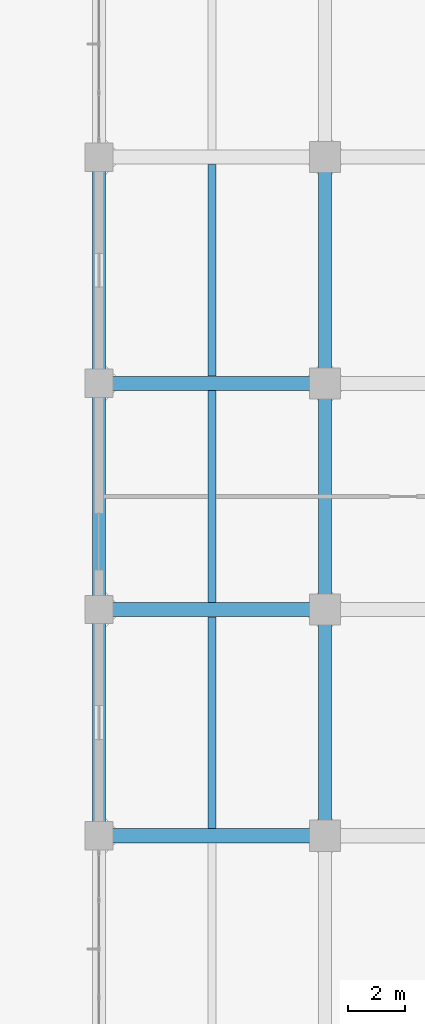
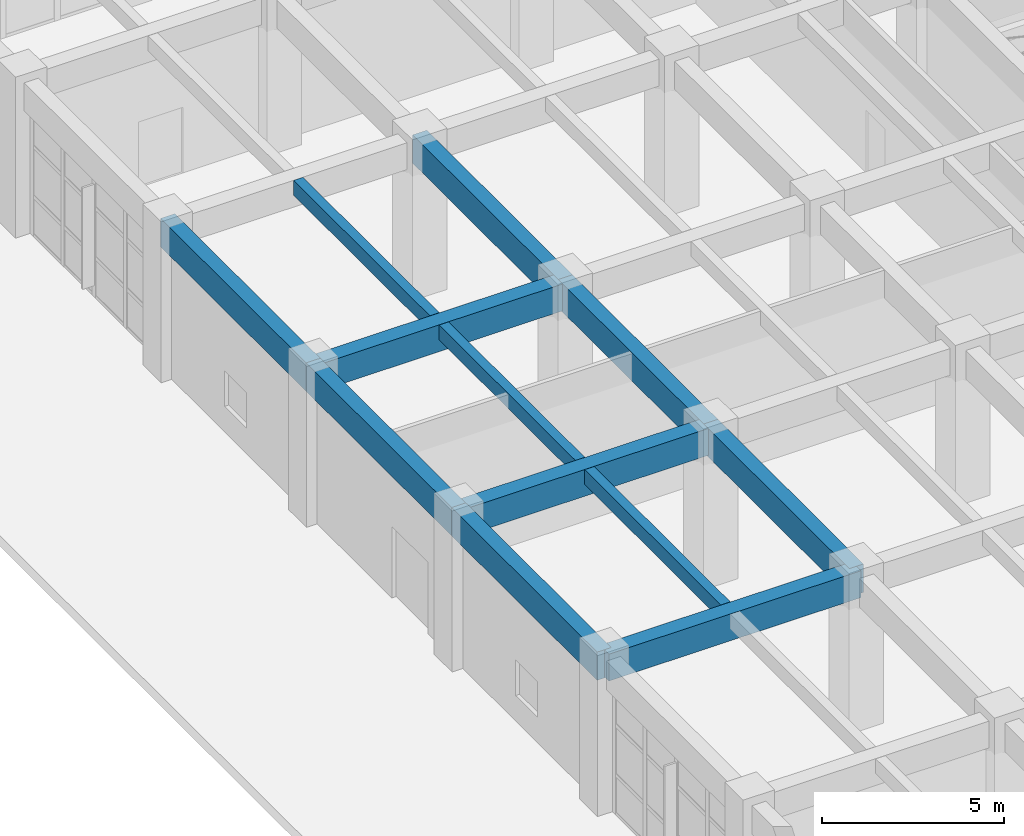
# One storey, part 39 of 90: 12 beams.
"""IFC4 building model written with IfcOpenShell, lengths in metres."""

import ifcopenshell
import ifcopenshell.guid

model = None  # the IFC model being written
_history = None  # IfcOwnerHistory: only IFC2X3 demands one
_inside = {}  # id of a spatial element -> (the spatial element, [elements in it])
_under = {}  # id of a project, library or spatial element -> (it, [spatial elements below it])
_declared = {}  # id of a project -> (the project, [libraries it declares])
_typed = {}  # id of a type object -> (the type object, [elements of that type])
_made_of = {}  # id of a material, layer set ... -> (it, [elements and type objects made of it])


def new_model(schema):
    """Start an empty IFC model of exactly this schema.

    Asked for "IFC4X3", IfcOpenShell would pick the latest addendum, in which some entities
    have other attributes; the version numbers below select the first issue.
    IFC2X3 requires an IfcOwnerHistory on every rooted entity: one is made here for all.
    """
    global model, _history
    if schema == "IFC4X3":
        model = ifcopenshell.file(schema_version=(4, 3, 0, 0))
    else:
        model = ifcopenshell.file(schema=schema)
    _inside.clear()
    _under.clear()
    _declared.clear()
    _typed.clear()
    _made_of.clear()
    _history = None
    if model.schema == "IFC2X3":
        org = make("IfcOrganization", Name="unknown")
        user = make(
            "IfcPersonAndOrganization",
            ThePerson=make("IfcPerson", FamilyName="unknown"),
            TheOrganization=org,
        )
        app = make(
            "IfcApplication",
            ApplicationDeveloper=org,
            Version="unknown",
            ApplicationFullName="unknown",
            ApplicationIdentifier="unknown",
        )
        _history = make(
            "IfcOwnerHistory",
            OwningUser=user,
            OwningApplication=app,
            ChangeAction="ADDED",
            CreationDate=0,
        )
    return model


def make(cls, **values):
    """One entity of the class cls with the attributes given. An attribute that is None is left unset."""
    return model.create_entity(
        cls, **{name: value for name, value in values.items() if value is not None}
    )


def rooted(cls, **values):
    """An entity with a GlobalId (a new one), such as an element, a storey or a relation."""
    return make(cls, GlobalId=ifcopenshell.guid.new(), OwnerHistory=_history, **values)


def si_unit(unit_type, name, prefix=None):
    """IfcSIUnit, for example si_unit("LENGTHUNIT", "METRE", prefix="MILLI")."""
    return make("IfcSIUnit", UnitType=unit_type, Prefix=prefix, Name=name)


def assignment(units):
    """IfcUnitAssignment: the units of a project."""
    return None if units is None else make("IfcUnitAssignment", Units=units)


def point(xyz):
    """IfcCartesianPoint."""
    return None if xyz is None else make("IfcCartesianPoint", Coordinates=xyz)


def direction(xyz):
    """IfcDirection."""
    return None if xyz is None else make("IfcDirection", DirectionRatios=xyz)


def frame(location, z_axis=None, x_axis=None):
    """IfcAxis2Placement3D, a coordinate frame: its origin and axes. An axis left out is left unset."""
    return make(
        "IfcAxis2Placement3D",
        Location=point(location),
        Axis=direction(z_axis),
        RefDirection=direction(x_axis),
    )


def frame_2d(location, x_axis=None):
    """IfcAxis2Placement2D, a coordinate frame in the plane: its origin and x axis."""
    return make(
        "IfcAxis2Placement2D", Location=point(location), RefDirection=direction(x_axis)
    )


def origin():
    """The frame at (0, 0, 0) with its axes left unset."""
    return frame((0.0, 0.0, 0.0))


def origin_2d():
    """The frame at (0, 0) in the plane with its x axis left unset."""
    return frame_2d((0.0, 0.0))


def place(relative_to, where):
    """IfcLocalPlacement: puts the frame where relative to a parent placement (None: the world)."""
    return make(
        "IfcLocalPlacement", PlacementRelTo=relative_to, RelativePlacement=where
    )


def context(
    kind, dimensions, precision=None, world=None, true_north=None, identifier=None
):
    """IfcGeometricRepresentationContext, for example the 3D "Model" context."""
    return make(
        "IfcGeometricRepresentationContext",
        ContextIdentifier=identifier,
        ContextType=kind,
        CoordinateSpaceDimension=dimensions,
        Precision=precision,
        WorldCoordinateSystem=world,
        TrueNorth=true_north,
    )


def subcontext(parent, identifier, kind, view, scale=None):
    """IfcGeometricRepresentationSubContext, for example "Body" below "Model"."""
    return make(
        "IfcGeometricRepresentationSubContext",
        ContextIdentifier=identifier,
        ContextType=kind,
        ParentContext=parent,
        TargetScale=scale,
        TargetView=view,
    )


def project(units=None, contexts=None):
    """IfcProject with its units and contexts."""
    return rooted(
        "IfcProject",
        Name="project",
        RepresentationContexts=contexts,
        UnitsInContext=assignment(units),
    )


def spatial(cls, under=None, at=None, **own):
    """A site, building, storey or space (cls), placed at a placement, below another one or the project."""
    s = rooted(cls, ObjectPlacement=at, **own)
    if under is not None:
        _under.setdefault(under.id(), (under, []))[1].append(s)
    return s


def profile(cls, at=None, kind="AREA", **sizes):
    """A parametric profile (cls). Its sizes go by their IFC names, for example OverallWidth=200.0."""
    return make(cls, ProfileType=kind, Position=at, **sizes)


def rectangle(**sizes):
    """IfcRectangleProfileDef."""
    return profile("IfcRectangleProfileDef", **sizes)


def extrude(swept, where, along, depth):
    """IfcExtrudedAreaSolid: the profile swept, set in the frame where, extruded along a direction by depth."""
    return make(
        "IfcExtrudedAreaSolid",
        SweptArea=swept,
        Position=where,
        ExtrudedDirection=direction(along),
        Depth=depth,
    )


def shape(context_of_items, identifier, shape_type, items):
    """IfcShapeRepresentation: the items that make up one representation, for example the "Body"."""
    return make(
        "IfcShapeRepresentation",
        ContextOfItems=context_of_items,
        RepresentationIdentifier=identifier,
        RepresentationType=shape_type,
        Items=items,
    )


def material(Name=None, Category=None):
    """IfcMaterial."""
    return make("IfcMaterial", Name=Name, Category=Category)


def material_profile(
    of_material, cross_section, Name=None, Category=None, Priority=None
):
    """IfcMaterialProfile: a cross section and its material."""
    return make(
        "IfcMaterialProfile",
        Name=Name,
        Material=of_material,
        Profile=cross_section,
        Priority=Priority,
        Category=Category,
    )


def profile_set(profiles, Name=None, composite=None):
    """IfcMaterialProfileSet."""
    return make(
        "IfcMaterialProfileSet",
        Name=Name,
        MaterialProfiles=profiles,
        CompositeProfile=composite,
    )


def made_of(thing, what):
    """Note that an element or type object is made of a material, layer set ...; save() writes the relation."""
    if what is not None:
        _made_of.setdefault(what.id(), (what, []))[1].append(thing)
    return thing


def type_object(cls, material=None, **own):
    """A type object (cls), such as IfcWallType, which elements share."""
    return made_of(rooted(cls, **own), material)


def element(
    cls,
    number,
    at=None,
    inside=None,
    cuts=None,
    type_object=None,
    material=None,
    context=None,
    identifier="Body",
    shape_type=None,
    held_by="IfcProductDefinitionShape",
    body=None,
    shapes=None,
    **own,
):
    """One element of the class cls, such as IfcWall. Its Tag is "e" and its number.

    at: its placement. inside: the storey or other place that contains it. cuts: it is an
    opening in that element (IfcRelVoidsElement). A single representation is given by context,
    identifier, shape_type and body (its items); several are given by shapes. held_by: the class
    of the entity that holds the representations. save() writes the other relations.
    """
    e = rooted(cls, Tag="e%d" % number, ObjectPlacement=at, **own)
    if body is not None:
        shapes = [shape(context, identifier, shape_type, body)]
    if shapes is not None:
        e.Representation = make(held_by, Representations=shapes)
    if inside is not None:
        _inside.setdefault(inside.id(), (inside, []))[1].append(e)
    if cuts is not None:
        rooted(
            "IfcRelVoidsElement", RelatingBuildingElement=cuts, RelatedOpeningElement=e
        )
    if type_object is not None:
        _typed.setdefault(type_object.id(), (type_object, []))[1].append(e)
    return made_of(e, material)


def aggregate(whole, parts):
    """IfcRelAggregates: a whole, such as a stair, and the parts it consists of."""
    return rooted("IfcRelAggregates", RelatingObject=whole, RelatedObjects=parts)


def save(model, path):
    """Write the relations noted so far, then the file.

    IfcRelAggregates (storeys below a building ...), IfcRelContainedInSpatialStructure (elements
    in a storey), IfcRelDefinesByType, IfcRelAssociatesMaterial and IfcRelDeclares: one each for
    every whole, place, type object, material and project.
    """
    for whole, parts in _under.values():
        aggregate(whole, parts)
    for where, things in _inside.values():
        rooted(
            "IfcRelContainedInSpatialStructure",
            RelatedElements=things,
            RelatingStructure=where,
        )
    for kind, things in _typed.values():
        rooted("IfcRelDefinesByType", RelatedObjects=things, RelatingType=kind)
    for what, things in _made_of.values():
        rooted("IfcRelAssociatesMaterial", RelatedObjects=things, RelatingMaterial=what)
    for by, libraries in _declared.values():
        rooted("IfcRelDeclares", RelatingContext=by, RelatedDefinitions=libraries)
    model.write(path)


model = new_model("IFC4")

# Units and contexts
model_context = context("Model", 3, precision=1e-05, world=origin(), true_north=direction((0.0, 1.0)))
body_context = subcontext(model_context, "Body", "Model", "MODEL_VIEW")
ifc_project = project(units=[si_unit("LENGTHUNIT", "METRE"), si_unit("AREAUNIT", "SQUARE_METRE"), si_unit("VOLUMEUNIT", "CUBIC_METRE"), si_unit("PLANEANGLEUNIT", "RADIAN"), si_unit("MASSUNIT", "GRAM", prefix="KILO")], contexts=[model_context])

# Site, building, storey
site_placement = place(None, origin())
site = spatial("IfcSite", under=ifc_project, at=site_placement, CompositionType="ELEMENT")
building_placement = place(site_placement, origin())
building = spatial("IfcBuilding", under=site, at=building_placement, Name="Canggui Botanical Conservatory", CompositionType="ELEMENT")
storey_placement = place(building_placement, origin())
storey = spatial("IfcBuildingStorey", under=building, at=storey_placement, Name="L01", CompositionType="ELEMENT", Elevation=0.0)

# Beams
ifc_material = material(Name="Concrete C35", Category="concrete")
ifc_material_profile_1 = material_profile(ifc_material, rectangle(XDim=0.300048828125, YDim=0.5, at=origin_2d()), Name="RB 300x500")
ifc_profile_set_1 = profile_set([ifc_material_profile_1], Name="Concrete C35")
beam_type_1 = type_object("IfcBeamType", Name="BM-JST02", PredefinedType="JOIST", material=ifc_profile_set_1)
for number, where, z_axis, x_axis, name in (
    (1, (134.0, 42.2548828125, 4.8701171875), (0.0, 1.0, 0.0), (-1.0, 0.0, 0.0), "Secondary Floor Joist L01-1-3"),
    (2, (134.0, 50.2548828125, 4.8701171875), (0.0, 1.0, 0.0), (-1.0, 0.0, 0.0), "Secondary Floor Joist L01-1-4"),
    (3, (134.0, 58.2548828125, 4.8701171875), (0.0, 1.0, 0.0), (-1.0, 0.0, 0.0), "Secondary Floor Joist L01-1-5"),
):
    element("IfcBeam", number, at=place(storey_placement, frame(where, z_axis=z_axis, x_axis=x_axis)), inside=storey, type_object=beam_type_1, Name=name, PredefinedType="JOIST", context=body_context, shape_type="SweptSolid", body=[
        extrude(rectangle(XDim=0.300048828125, YDim=0.5, at=origin_2d()), origin(), (0.0, 0.0, 1.0), 7.490234375),
    ])
ifc_material_profile_2 = material_profile(ifc_material, rectangle(XDim=0.5, YDim=0.89990234375, at=origin_2d()), Name="RB 500x900")
ifc_profile_set_2 = profile_set([ifc_material_profile_2], Name="Concrete C35")
beam_type_2 = type_object("IfcBeamType", Name="BM-KL03", PredefinedType="BEAM", material=ifc_profile_set_2)
for number, where, z_axis, x_axis, name in (
    (4, (130.0, 42.0, 4.669921875), (1.0, 0.0, 0.0), (0.0, 1.0, 0.0), "Frame Girder L01 Y42-1"),
    (5, (130.0, 50.0, 4.669921875), (1.0, 0.0, 0.0), (0.0, 1.0, 0.0), "Frame Girder L01 Y50-1"),
    (6, (130.0, 58.0, 4.669921875), (1.0, 0.0, 0.0), (0.0, 1.0, 0.0), "Frame Girder L01 Y58-1"),
):
    element("IfcBeam", number, at=place(storey_placement, frame(where, z_axis=z_axis, x_axis=x_axis)), inside=storey, type_object=beam_type_2, Name=name, PredefinedType="BEAM", context=body_context, shape_type="SweptSolid", body=[
        extrude(rectangle(XDim=0.5, YDim=0.89990234375, at=origin_2d()), origin(), (0.0, 0.0, 1.0), 8.0),
    ])
ifc_material_profile_3 = material_profile(ifc_material, rectangle(XDim=0.449951171875, YDim=0.949951171875, at=origin_2d()), Name="RB 450x950")
ifc_profile_set_3 = profile_set([ifc_material_profile_3], Name="Concrete C35")
beam_type_3 = type_object("IfcBeamType", Name="BM-KL04", PredefinedType="BEAM", material=ifc_profile_set_3)
for number, where, z_axis, x_axis, name in (
    (7, (130.0, 42.0, 4.64501953125), (0.0, 1.0, 0.0), (-1.0, 0.0, 0.0), "Frame Girder L01 X130-3"),
    (8, (130.0, 50.0, 4.64501953125), (0.0, 1.0, 0.0), (-1.0, 0.0, 0.0), "Frame Girder L01 X130-4"),
    (9, (130.0, 58.0, 4.64501953125), (0.0, 1.0, 0.0), (-1.0, 0.0, 0.0), "Frame Girder L01 X130-5"),
    (10, (138.0, 42.0, 4.64501953125), (0.0, 1.0, 0.0), (-1.0, 0.0, 0.0), "Frame Girder L01 X138-3"),
    (11, (138.0, 50.0, 4.64501953125), (0.0, 1.0, 0.0), (-1.0, 0.0, 0.0), "Frame Girder L01 X138-4"),
    (12, (138.0, 58.0, 4.64501953125), (0.0, 1.0, 0.0), (-1.0, 0.0, 0.0), "Frame Girder L01 X138-5"),
):
    element("IfcBeam", number, at=place(storey_placement, frame(where, z_axis=z_axis, x_axis=x_axis)), inside=storey, type_object=beam_type_3, Name=name, PredefinedType="BEAM", context=body_context, shape_type="SweptSolid", body=[
        extrude(rectangle(XDim=0.449951171875, YDim=0.949951171875, at=origin_2d()), origin(), (0.0, 0.0, 1.0), 8.0),
    ])

save(model, "model.ifc")
